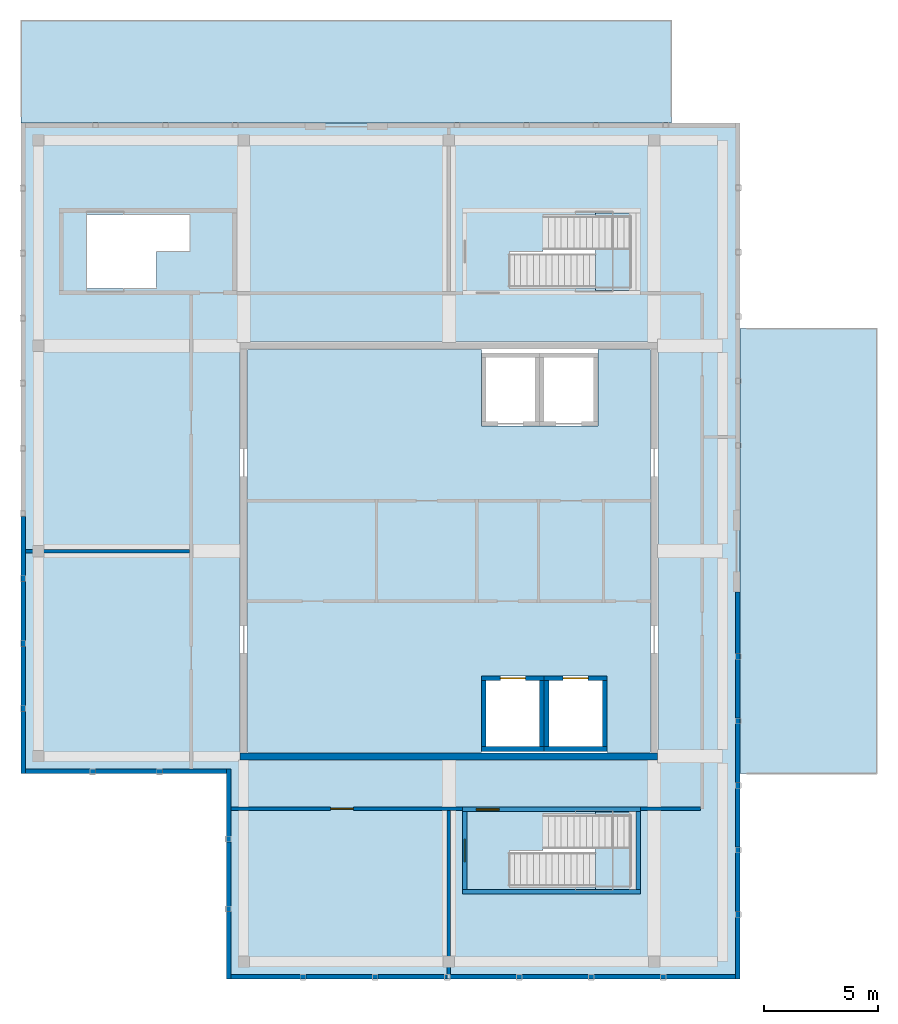
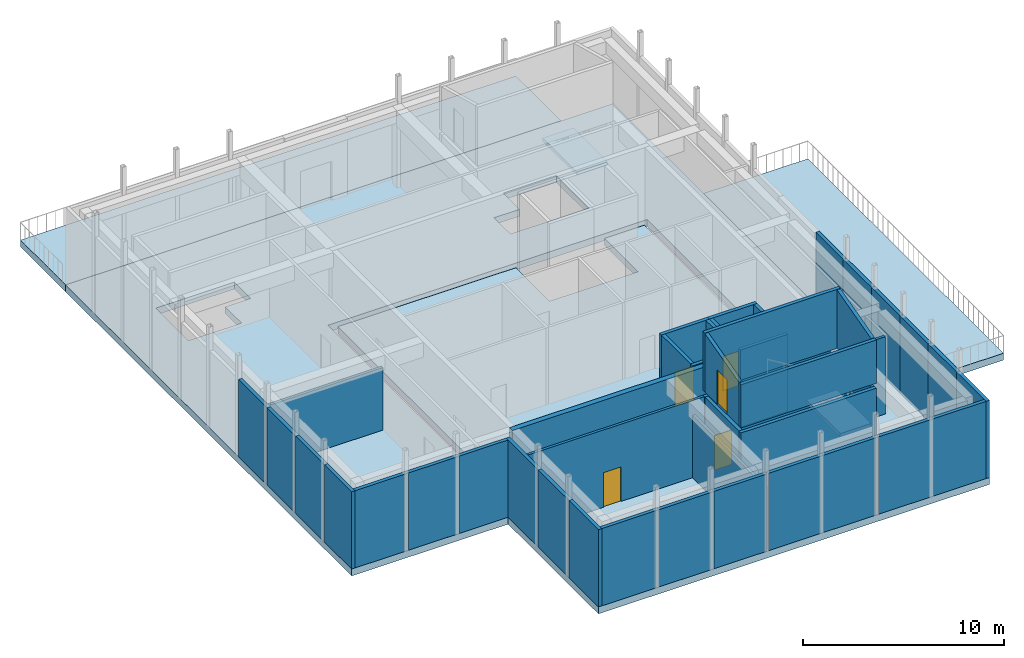
# One storey, part 7 of 11: 44 walls, 6 slabs, 5 doors, 5 openings, 2 elements without a shape of their own.
"""IFC4 building model written with IfcOpenShell, lengths in metres."""

from ifc_helpers import new_model, si_unit, direction, frame, frame_2d, origin, place, context, subcontext, project, spatial, polyline, rectangle, outline, extrude, material, layer, layer_set, type_object, element, fill, aggregate, save


model = new_model("IFC4")

# Units and contexts
model_context = context("Model", 3, precision=1e-05, world=origin(), true_north=direction((0.0, 1.0)))
body_context = subcontext(model_context, "Body", "Model", "MODEL_VIEW")
ifc_project = project(units=[si_unit("LENGTHUNIT", "METRE"), si_unit("AREAUNIT", "SQUARE_METRE"), si_unit("VOLUMEUNIT", "CUBIC_METRE"), si_unit("PLANEANGLEUNIT", "RADIAN"), si_unit("MASSUNIT", "GRAM", prefix="KILO")], contexts=[model_context])

# Site, building, storey
site_placement = place(None, origin())
site = spatial("IfcSite", under=ifc_project, at=site_placement, CompositionType="ELEMENT")
building_placement = place(site_placement, origin())
building = spatial("IfcBuilding", under=site, at=building_placement, Name="Tuart Plaza Theatre", CompositionType="ELEMENT")
storey_placement = place(building_placement, frame((0.0, 0.0, 65.5)))
storey = spatial("IfcBuildingStorey", under=building, at=storey_placement, Name="L16", CompositionType="ELEMENT", Elevation=65.5)

# Slabs
ifc_material_1 = material(Name="Concrete N40 (40 MPa)", Category="concrete")
ifc_layer_1 = layer(ifc_material_1, 0.419921875)
ifc_layer_set_1 = layer_set([ifc_layer_1], Name="SLAB Floor 420 Concrete N40 (40 MPa)")
slab_type_1 = type_object("IfcSlabType", Name="SLAB Floor 420 Concrete N40 (40 MPa)", PredefinedType="FLOOR", material=ifc_layer_set_1)
slab_1_placement = place(storey_placement, frame((0.0, 0.0, -0.419921875)))
element("IfcSlab", 1, at=slab_1_placement, inside=storey, type_object=slab_type_1, Name="S103", PredefinedType="FLOOR", context=body_context, shape_type="SweptSolid", body=[
    extrude(outline(polyline([(122.25, 55.25), (144.75, 55.25), (144.75, 92.75), (113.25, 92.75), (113.25, 64.25), (122.25, 64.25), (122.25, 55.25)]), holes=[polyline([(141.175048828125, 64.824951171875), (141.175048828125, 83.175048828125), (122.824951171875, 83.175048828125), (122.824951171875, 64.824951171875), (141.175048828125, 64.824951171875)]), polyline([(136.114990234375, 62.5), (136.114990234375, 60.875), (134.655029296875, 60.875), (134.655029296875, 59.25), (139.169921875, 59.25), (139.169921875, 62.5), (136.114990234375, 62.5)]), polyline([(139.169921875, 88.75), (136.114990234375, 88.75), (136.114990234375, 87.125), (134.655029296875, 87.125), (134.655029296875, 85.5), (139.169921875, 85.5), (139.169921875, 88.75)]), polyline([(116.1298828125, 88.75), (116.1298828125, 85.5), (119.18505859375, 85.5), (119.18505859375, 87.125), (120.64501953125, 87.125), (120.64501953125, 88.75), (116.1298828125, 88.75)])]), origin(), (0.0, 0.0, 1.0), 0.419921875),
])
slab_2_placement = place(storey_placement, frame((0.0, 0.0, -0.419921875)))
element("IfcSlab", 2, at=slab_2_placement, inside=storey, type_object=slab_type_1, Name="S104", PredefinedType="FLOOR", context=body_context, shape_type="SweptSolid", body=[
    extrude(outline(polyline([(133.425048828125, 68.52490234375), (138.925048828125, 68.52490234375), (138.925048828125, 65.175048828125), (140.824951171875, 65.175048828125), (140.824951171875, 82.824951171875), (138.52490234375, 82.824951171875), (138.52490234375, 79.47509765625), (133.425048828125, 79.47509765625), (133.425048828125, 82.824951171875), (123.175048828125, 82.824951171875), (123.175048828125, 65.175048828125), (133.425048828125, 65.175048828125), (133.425048828125, 68.52490234375)])), origin(), (0.0, 0.0, 1.0), 0.419921875),
])
slab_3_placement = place(storey_placement, frame((0.0, 0.0, -0.419921875)))
element("IfcSlab", 3, at=slab_3_placement, inside=storey, type_object=slab_type_1, Name="S105", PredefinedType="FLOOR", context=body_context, shape_type="SweptSolid", body=[
    extrude(outline(polyline([(113.25, 92.75), (141.75, 92.75), (141.75, 97.25), (113.25, 97.25), (113.25, 92.75)])), origin(), (0.0, 0.0, 1.0), 0.419921875),
])
slab_4_placement = place(storey_placement, frame((0.0, 0.0, -0.419921875)))
element("IfcSlab", 4, at=slab_4_placement, inside=storey, type_object=slab_type_1, Name="S106", PredefinedType="FLOOR", context=body_context, shape_type="SweptSolid", body=[
    extrude(outline(polyline([(144.75, 83.75), (144.75, 64.25), (150.75, 64.25), (150.75, 83.75), (144.75, 83.75)])), origin(), (0.0, 0.0, 1.0), 0.419921875),
])

# Stair, slab
ifc_material_2 = material(Name="Concrete N40 (40 MPa)", Category="concrete")
stair_type = type_object("IfcStairType", Name="STAIR half turn 1500", PredefinedType="HALF_TURN_STAIR", material=ifc_material_2)
stair_1_placement = place(storey_placement, origin())
stair_1 = element("IfcStair", 5, at=stair_1_placement, inside=storey, type_object=stair_type, Name="SC-23", PredefinedType="HALF_TURN_STAIR")
ifc_material_3 = material(Name="Concrete N40 (40 MPa)", Category="concrete")
ifc_layer_2 = layer(ifc_material_3, 0.199951171875)
ifc_layer_set_2 = layer_set([ifc_layer_2], Name="STAIR LANDING 200")
slab_type_2 = type_object("IfcSlabType", Name="STAIR LANDING 200", PredefinedType="LANDING", material=ifc_layer_set_2)
slab_5_placement = place(storey_placement, frame((0.0, 0.0, 2.300048828125)))
slab_5 = element("IfcSlab", 6, at=slab_5_placement, type_object=slab_type_2, Name="SC-23 landing 1", PredefinedType="LANDING", context=body_context, shape_type="SweptSolid", body=[
    extrude(outline(polyline([(138.425048828125, 59.177001953125), (140.197998046875, 59.177001953125), (140.197998046875, 62.572998046875), (138.425048828125, 62.572998046875), (138.425048828125, 59.177001953125)])), origin(), (0.0, 0.0, 1.0), 0.199951171875),
])
aggregate(stair_1, [slab_5])

stair_2_placement = place(storey_placement, origin())
stair_2 = element("IfcStair", 7, at=stair_2_placement, inside=storey, type_object=stair_type, Name="SC-24", PredefinedType="HALF_TURN_STAIR")
slab_6_placement = place(storey_placement, frame((0.0, 0.0, 2.300048828125)))
slab_6 = element("IfcSlab", 8, at=slab_6_placement, type_object=slab_type_2, Name="SC-24 landing 1", PredefinedType="LANDING", context=body_context, shape_type="SweptSolid", body=[
    extrude(outline(polyline([(138.425048828125, 85.427001953125), (140.197998046875, 85.427001953125), (140.197998046875, 88.822998046875), (138.425048828125, 88.822998046875), (138.425048828125, 85.427001953125)])), origin(), (0.0, 0.0, 1.0), 0.199951171875),
])
aggregate(stair_2, [slab_6])

# Wall, opening, door
ifc_material_4 = material(Name="Masonry block", Category="masonry")
ifc_layer_3 = layer(ifc_material_4, 0.14990234375)
ifc_layer_set_3 = layer_set([ifc_layer_3], Name="PARTITION BLK150 MASONRYB FRL 120/-/-")
wall_type_1 = type_object("IfcWallType", Name="PARTITION BLK150 MASONRYB FRL 120/-/-", PredefinedType="PARTITIONING", material=ifc_layer_set_3)
wall_1_placement = place(storey_placement, frame((132.60009765625, 62.699951171875, 0.0), z_axis=(0.0, 0.0, 1.0), x_axis=(-1.0, 0.0, 0.0)))
wall_1 = element("IfcWall", 9, at=wall_1_placement, inside=storey, type_object=wall_type_1, Name="P735", PredefinedType="PARTITIONING", context=body_context, shape_type="SweptSolid", body=[
    extrude(rectangle(XDim=10.150146484375, YDim=0.14990234375, at=frame_2d((5.0751953125, 0.0))), origin(), (0.0, 0.0, 1.0), 4.699951171875),
])
opening_1_placement = place(wall_1_placement, frame((4.78759765625, 0.0, 0.0)))
opening_1 = element("IfcOpeningElement", 10, at=opening_1_placement, cuts=wall_1, Name="Opening L16-021", PredefinedType="OPENING", context=body_context, shape_type="SweptSolid", body=[
    extrude(rectangle(XDim=1.0, YDim=2.10009765625, at=frame_2d((0.5, 1.050048828125))), frame((0.0, 0.0849609375, 0.0), z_axis=(0.0, -1.0, 0.0), x_axis=(1.0, 0.0, 0.0)), (0.0, 0.0, 1.0), 0.169921875),
])
ifc_material_5 = material(Name="Timber", Category="wood")
door_type_1 = type_object("IfcDoorType", Name="DOOR 1000x2100 timber single swing FRL -/60/30", OperationType="SINGLE_SWING_LEFT", PredefinedType="DOOR", material=ifc_material_5)
door_1_placement = place(opening_1_placement, origin())
door_1 = element("IfcDoor", 11, at=door_1_placement, inside=storey, type_object=door_type_1, Name="L16-021", OperationType="SINGLE_SWING_LEFT", OverallHeight=2.10009765625, OverallWidth=1.0, PredefinedType="DOOR", context=body_context, shape_type="SweptSolid", body=[
    extrude(rectangle(XDim=1.0, YDim=2.10009765625, at=frame_2d((0.5, 1.050048828125))), frame((0.0, 0.02490234375, 0.0), z_axis=(0.0, -1.0, 0.0), x_axis=(1.0, 0.0, 0.0)), (0.0, 0.0, 1.0), 0.050048828125),
])
fill(opening_1, door_1)

# Walls
wall_2_placement = place(storey_placement, frame((143.02490234375, 62.699951171875, 0.0), z_axis=(0.0, 0.0, 1.0), x_axis=(-1.0, 0.0, 0.0)))
element("IfcWall", 12, at=wall_2_placement, inside=storey, type_object=wall_type_1, Name="P736", PredefinedType="PARTITIONING", context=body_context, shape_type="SweptSolid", body=[
    extrude(rectangle(XDim=2.625, YDim=0.14990234375, at=frame_2d((1.3125, 0.0))), origin(), (0.0, 0.0, 1.0), 4.699951171875),
])
for number, where, z_axis, x_axis, name in (
    (13, (132.0, 55.448974609375, 0.0), (0.0, 0.0, 1.0), (0.0, 1.0, 0.0), "P741"),
    (14, (113.448974609375, 74.0, 0.0), (0.0, 0.0, 1.0), (1.0, 0.0, 0.0), "P743"),
):
    element("IfcWall", number, at=place(storey_placement, frame(where, z_axis=z_axis, x_axis=x_axis)), inside=storey, type_object=wall_type_1, Name=name, PredefinedType="PARTITIONING", context=body_context, shape_type="SweptSolid", body=[
        extrude(rectangle(XDim=7.177001953125, YDim=0.14990234375, at=frame_2d((3.58837890625, 0.0))), origin(), (0.0, 0.0, 1.0), 3.800048828125),
    ])
ifc_material_6 = material(Name="Concrete N40 (40 MPa)", Category="concrete")
ifc_layer_4 = layer(ifc_material_6, 0.199951171875)
ifc_layer_set_4 = layer_set([ifc_layer_4], Name="SHEAR WALL RC200 FRL 120/120/120")
wall_type_2 = type_object("IfcWallType", Name="SHEAR WALL RC200 FRL 120/120/120", PredefinedType="SHEAR", material=ifc_layer_set_4)
wall_3_placement = place(storey_placement, frame((133.425048828125, 65.324951171875, 0.0), z_axis=(0.0, 0.0, 1.0), x_axis=(1.0, 0.0, 0.0)))
element("IfcWall", 15, at=wall_3_placement, inside=storey, type_object=wall_type_2, Name="W1078", PredefinedType="SHEAR", context=body_context, shape_type="SweptSolid", body=[
    extrude(rectangle(XDim=2.75, YDim=0.199951171875, at=frame_2d((1.375, 0.0))), origin(), (0.0, 0.0, 1.0), 4.699951171875),
])
wall_4_placement = place(storey_placement, frame((136.074951171875, 65.425048828125, 0.0), z_axis=(0.0, 0.0, 1.0), x_axis=(0.0, 1.0, 0.0)))
element("IfcWall", 16, at=wall_4_placement, inside=storey, type_object=wall_type_2, Name="W1079", PredefinedType="SHEAR", context=body_context, shape_type="SweptSolid", body=[
    extrude(rectangle(XDim=2.89990234375, YDim=0.199951171875, at=frame_2d((1.449951171875, 0.0))), origin(), (0.0, 0.0, 1.0), 4.699951171875),
])

# Wall, opening, door
wall_5_placement = place(storey_placement, frame((136.175048828125, 68.425048828125, 0.0), z_axis=(0.0, 0.0, 1.0), x_axis=(-1.0, 0.0, 0.0)))
wall_5 = element("IfcWall", 17, at=wall_5_placement, inside=storey, type_object=wall_type_2, Name="W1080", PredefinedType="SHEAR", context=body_context, shape_type="SweptSolid", body=[
    extrude(rectangle(XDim=2.75, YDim=0.199951171875, at=frame_2d((1.375, 0.0))), origin(), (0.0, 0.0, 1.0), 4.699951171875),
])
opening_2_placement = place(wall_5_placement, frame((0.824951171875, 0.0, 0.0)))
opening_2 = element("IfcOpeningElement", 18, at=opening_2_placement, cuts=wall_5, Name="Opening L16-003", PredefinedType="OPENING", context=body_context, shape_type="SweptSolid", body=[
    extrude(rectangle(XDim=1.10009765625, YDim=2.10009765625, at=frame_2d((0.550048828125, 1.050048828125))), frame((0.0, 0.10986328125, 0.0), z_axis=(0.0, -1.0, 0.0), x_axis=(1.0, 0.0, 0.0)), (0.0, 0.0, 1.0), 0.219970703125),
])
ifc_material_7 = material(Name="Steel Grade 300", Category="steel")
door_type_2 = type_object("IfcDoorType", Name="LANDING DOOR 1100x2100 steel sliding FRL -/120/30", OperationType="SLIDING_TO_LEFT", PredefinedType="DOOR", material=ifc_material_7)
door_2_placement = place(opening_2_placement, origin())
door_2 = element("IfcDoor", 19, at=door_2_placement, inside=storey, type_object=door_type_2, Name="L16-003", OperationType="SLIDING_TO_LEFT", OverallHeight=2.10009765625, OverallWidth=1.10009765625, PredefinedType="DOOR", context=body_context, shape_type="SweptSolid", body=[
    extrude(rectangle(XDim=1.10009765625, YDim=2.10009765625, at=frame_2d((0.550048828125, 1.050048828125))), frame((0.0, 0.02490234375, 0.0), z_axis=(0.0, -1.0, 0.0), x_axis=(1.0, 0.0, 0.0)), (0.0, 0.0, 1.0), 0.050048828125),
])
fill(opening_2, door_2)

# Walls
wall_6_placement = place(storey_placement, frame((133.52490234375, 68.324951171875, 0.0), z_axis=(0.0, 0.0, 1.0), x_axis=(0.0, -1.0, 0.0)))
element("IfcWall", 20, at=wall_6_placement, inside=storey, type_object=wall_type_2, Name="W1081", PredefinedType="SHEAR", context=body_context, shape_type="SweptSolid", body=[
    extrude(rectangle(XDim=2.89990234375, YDim=0.199951171875, at=frame_2d((1.449951171875, 0.0))), origin(), (0.0, 0.0, 1.0), 4.699951171875),
])
wall_7_placement = place(storey_placement, frame((136.175048828125, 65.324951171875, 0.0), z_axis=(0.0, 0.0, 1.0), x_axis=(1.0, 0.0, 0.0)))
element("IfcWall", 21, at=wall_7_placement, inside=storey, type_object=wall_type_2, Name="W1154", PredefinedType="SHEAR", context=body_context, shape_type="SweptSolid", body=[
    extrude(rectangle(XDim=2.75, YDim=0.199951171875, at=frame_2d((1.375, 0.0))), origin(), (0.0, 0.0, 1.0), 4.699951171875),
])
wall_8_placement = place(storey_placement, frame((138.824951171875, 65.425048828125, 0.0), z_axis=(0.0, 0.0, 1.0), x_axis=(0.0, 1.0, 0.0)))
element("IfcWall", 22, at=wall_8_placement, inside=storey, type_object=wall_type_2, Name="W1155", PredefinedType="SHEAR", context=body_context, shape_type="SweptSolid", body=[
    extrude(rectangle(XDim=2.89990234375, YDim=0.199951171875, at=frame_2d((1.449951171875, 0.0))), origin(), (0.0, 0.0, 1.0), 4.699951171875),
])

# Wall, opening, door
wall_9_placement = place(storey_placement, frame((138.925048828125, 68.425048828125, 0.0), z_axis=(0.0, 0.0, 1.0), x_axis=(-1.0, 0.0, 0.0)))
wall_9 = element("IfcWall", 23, at=wall_9_placement, inside=storey, type_object=wall_type_2, Name="W1156", PredefinedType="SHEAR", context=body_context, shape_type="SweptSolid", body=[
    extrude(rectangle(XDim=2.75, YDim=0.199951171875, at=frame_2d((1.375, 0.0))), origin(), (0.0, 0.0, 1.0), 4.699951171875),
])
opening_3_placement = place(wall_9_placement, frame((0.824951171875, 0.0, 0.0)))
opening_3 = element("IfcOpeningElement", 24, at=opening_3_placement, cuts=wall_9, Name="Opening L16-004", PredefinedType="OPENING", context=body_context, shape_type="SweptSolid", body=[
    extrude(rectangle(XDim=1.10009765625, YDim=2.10009765625, at=frame_2d((0.550048828125, 1.050048828125))), frame((0.0, 0.10986328125, 0.0), z_axis=(0.0, -1.0, 0.0), x_axis=(1.0, 0.0, 0.0)), (0.0, 0.0, 1.0), 0.219970703125),
])
door_3_placement = place(opening_3_placement, origin())
door_3 = element("IfcDoor", 25, at=door_3_placement, inside=storey, type_object=door_type_2, Name="L16-004", OperationType="SLIDING_TO_LEFT", OverallHeight=2.10009765625, OverallWidth=1.10009765625, PredefinedType="DOOR", context=body_context, shape_type="SweptSolid", body=[
    extrude(rectangle(XDim=1.10009765625, YDim=2.10009765625, at=frame_2d((0.550048828125, 1.050048828125))), frame((0.0, 0.02490234375, 0.0), z_axis=(0.0, -1.0, 0.0), x_axis=(1.0, 0.0, 0.0)), (0.0, 0.0, 1.0), 0.050048828125),
])
fill(opening_3, door_3)

# Walls
wall_10_placement = place(storey_placement, frame((136.27490234375, 68.324951171875, 0.0), z_axis=(0.0, 0.0, 1.0), x_axis=(0.0, -1.0, 0.0)))
element("IfcWall", 26, at=wall_10_placement, inside=storey, type_object=wall_type_2, Name="W1157", PredefinedType="SHEAR", context=body_context, shape_type="SweptSolid", body=[
    extrude(rectangle(XDim=2.89990234375, YDim=0.199951171875, at=frame_2d((1.449951171875, 0.0))), origin(), (0.0, 0.0, 1.0), 4.699951171875),
])
wall_11_placement = place(storey_placement, frame((132.60009765625, 59.074951171875, 0.0), z_axis=(0.0, 0.0, 1.0), x_axis=(1.0, 0.0, 0.0)))
element("IfcWall", 27, at=wall_11_placement, inside=storey, type_object=wall_type_2, Name="P416", PredefinedType="SHEAR", context=body_context, shape_type="SweptSolid", body=[
    extrude(rectangle(XDim=7.7998046875, YDim=0.199951171875, at=frame_2d((3.89990234375, 0.0))), origin(), (0.0, 0.0, 1.0), 4.699951171875),
])
wall_12_placement = place(storey_placement, frame((140.300048828125, 59.175048828125, 0.0), z_axis=(0.0, 0.0, 1.0), x_axis=(0.0, 1.0, 0.0)))
element("IfcWall", 28, at=wall_12_placement, inside=storey, type_object=wall_type_2, Name="P417", PredefinedType="SHEAR", context=body_context, shape_type="SweptSolid", body=[
    extrude(rectangle(XDim=3.39990234375, YDim=0.199951171875, at=frame_2d((1.699951171875, 0.0))), origin(), (0.0, 0.0, 1.0), 4.699951171875),
])

# Wall, opening, door
wall_13_placement = place(storey_placement, frame((140.39990234375, 62.675048828125, 0.0), z_axis=(0.0, 0.0, 1.0), x_axis=(-1.0, 0.0, 0.0)))
wall_13 = element("IfcWall", 29, at=wall_13_placement, inside=storey, type_object=wall_type_2, Name="P418", PredefinedType="SHEAR", context=body_context, shape_type="SweptSolid", body=[
    extrude(rectangle(XDim=7.7998046875, YDim=0.199951171875, at=frame_2d((3.89990234375, 0.0))), origin(), (0.0, 0.0, 1.0), 4.699951171875),
])
opening_4_placement = place(wall_13_placement, frame((6.199951171875, 0.0, 0.0)))
opening_4 = element("IfcOpeningElement", 30, at=opening_4_placement, cuts=wall_13, Name="Opening L16-007", PredefinedType="OPENING", context=body_context, shape_type="SweptSolid", body=[
    extrude(rectangle(XDim=1.0, YDim=2.10009765625, at=frame_2d((0.5, 1.050048828125))), frame((0.0, 0.10986328125, 0.0), z_axis=(0.0, -1.0, 0.0), x_axis=(1.0, 0.0, 0.0)), (0.0, 0.0, 1.0), 0.219970703125),
])
ifc_material_8 = material(Name="Steel Grade 300", Category="steel")
door_type_3 = type_object("IfcDoorType", Name="DOOR 1000x2100 steel single swing FRL -/120/30", OperationType="SINGLE_SWING_LEFT", PredefinedType="DOOR", material=ifc_material_8)
door_4_placement = place(opening_4_placement, origin())
door_4 = element("IfcDoor", 31, at=door_4_placement, inside=storey, type_object=door_type_3, Name="L16-007", OperationType="SINGLE_SWING_LEFT", OverallHeight=2.10009765625, OverallWidth=1.0, PredefinedType="DOOR", context=body_context, shape_type="SweptSolid", body=[
    extrude(rectangle(XDim=1.0, YDim=2.10009765625, at=frame_2d((0.5, 1.050048828125))), frame((0.0, 0.02490234375, 0.0), z_axis=(0.0, -1.0, 0.0), x_axis=(1.0, 0.0, 0.0)), (0.0, 0.0, 1.0), 0.050048828125),
])
fill(opening_4, door_4)

# Walls
wall_14_placement = place(storey_placement, frame((132.699951171875, 62.574951171875, 0.0), z_axis=(0.0, 0.0, 1.0), x_axis=(0.0, -1.0, 0.0)))
element("IfcWall", 32, at=wall_14_placement, inside=storey, type_object=wall_type_2, Name="P419", PredefinedType="SHEAR", context=body_context, shape_type="SweptSolid", body=[
    extrude(rectangle(XDim=3.39990234375, YDim=0.199951171875, at=frame_2d((1.699951171875, 0.0))), origin(), (0.0, 0.0, 1.0), 4.699951171875),
])
wall_15_placement = place(storey_placement, frame((132.60009765625, 59.074951171875, 5.0), z_axis=(0.0, 0.0, 1.0), x_axis=(1.0, 0.0, 0.0)))
element("IfcWall", 33, at=wall_15_placement, inside=storey, type_object=wall_type_2, Name="P500", PredefinedType="SHEAR", context=body_context, shape_type="SweptSolid", body=[
    extrude(outline(polyline([(0.0, 0.0), (7.7998046875, 0.0), (7.800048828125, 2.626708984375), (0.0, 2.626708984375), (0.0, 0.0)])), frame((0.0, 0.10009765625, 0.0), z_axis=(0.0, -1.0, 0.0), x_axis=(1.0, 0.0, 0.0)), (0.0, 0.0, 1.0), 0.199951171875),
])
wall_16_placement = place(storey_placement, frame((140.300048828125, 59.175048828125, 5.0), z_axis=(0.0, 0.0, 1.0), x_axis=(0.0, 1.0, 0.0)))
element("IfcWall", 34, at=wall_16_placement, inside=storey, type_object=wall_type_2, Name="P501", PredefinedType="SHEAR", context=body_context, shape_type="SweptSolid", body=[
    extrude(outline(polyline([(0.0, 0.0), (3.39990234375, 0.0), (3.39990234375, 3.564697265625), (0.0, 2.653564453125), (0.0, 0.0)])), frame((0.0, 0.10009765625, 0.0), z_axis=(0.0, -1.0, 0.0), x_axis=(1.0, 0.0, 0.0)), (0.0, 0.0, 1.0), 0.199951171875),
])
wall_17_placement = place(storey_placement, frame((140.39990234375, 62.675048828125, 5.0), z_axis=(0.0, 0.0, 1.0), x_axis=(-1.0, 0.0, 0.0)))
element("IfcWall", 35, at=wall_17_placement, inside=storey, type_object=wall_type_2, Name="P502", PredefinedType="SHEAR", context=body_context, shape_type="SweptSolid", body=[
    extrude(outline(polyline([(0.0, 0.0), (7.7998046875, 0.0), (7.800048828125, 3.59130859375), (0.0, 3.59130859375), (0.0, 0.0)])), frame((0.0, 0.10009765625, 0.0), z_axis=(0.0, -1.0, 0.0), x_axis=(1.0, 0.0, 0.0)), (0.0, 0.0, 1.0), 0.199951171875),
])

# Wall, opening, door
wall_18_placement = place(storey_placement, frame((132.699951171875, 62.574951171875, 5.0), z_axis=(0.0, 0.0, 1.0), x_axis=(0.0, -1.0, 0.0)))
wall_18 = element("IfcWall", 36, at=wall_18_placement, inside=storey, type_object=wall_type_2, Name="P503", PredefinedType="SHEAR", context=body_context, shape_type="SweptSolid", body=[
    extrude(outline(polyline([(0.0, 0.0), (3.39990234375, 0.0), (3.39990234375, 2.653564453125), (0.0, 3.564697265625), (0.0, 0.0)])), frame((0.0, 0.10009765625, 0.0), z_axis=(0.0, -1.0, 0.0), x_axis=(1.0, 0.0, 0.0)), (0.0, 0.0, 1.0), 0.199951171875),
])
opening_5_placement = place(wall_18_placement, frame((1.199951171875, 0.0, 0.0)))
opening_5 = element("IfcOpeningElement", 37, at=opening_5_placement, cuts=wall_18, Name="Opening L16-010", PredefinedType="OPENING", context=body_context, shape_type="SweptSolid", body=[
    extrude(rectangle(XDim=1.0, YDim=2.10009765625, at=frame_2d((0.5, 1.050048828125))), frame((0.0, 0.10986328125, 0.0), z_axis=(0.0, -1.0, 0.0), x_axis=(1.0, 0.0, 0.0)), (0.0, 0.0, 1.0), 0.219970703125),
])
door_5_placement = place(opening_5_placement, frame((1.0, 0.0, 0.0), z_axis=(0.0, 0.0, 1.0), x_axis=(-1.0, 0.0, 0.0)))
door_5 = element("IfcDoor", 38, at=door_5_placement, inside=storey, type_object=door_type_3, Name="L16-010", OperationType="SINGLE_SWING_LEFT", OverallHeight=2.10009765625, OverallWidth=1.0, PredefinedType="DOOR", context=body_context, shape_type="SweptSolid", body=[
    extrude(rectangle(XDim=1.0, YDim=2.10009765625, at=frame_2d((0.5, 1.050048828125))), frame((0.0, 0.02490234375, 0.0), z_axis=(0.0, -1.0, 0.0), x_axis=(1.0, 0.0, 0.0)), (0.0, 0.0, 1.0), 0.050048828125),
])
fill(opening_5, door_5)

# Walls
ifc_material_9 = material(Name="Concrete N40 (40 MPa)", Category="concrete")
ifc_layer_5 = layer(ifc_material_9, 0.300048828125)
ifc_layer_set_5 = layer_set([ifc_layer_5], Name="SHEAR WALL RC300 FRL 120/120/120")
wall_type_3 = type_object("IfcWallType", Name="SHEAR WALL RC300 FRL 120/120/120", PredefinedType="SHEAR", material=ifc_layer_set_5)
wall_19_placement = place(storey_placement, frame((122.85009765625, 65.0, 0.0), z_axis=(0.0, 0.0, 1.0), x_axis=(1.0, 0.0, 0.0)))
element("IfcWall", 39, at=wall_19_placement, inside=storey, type_object=wall_type_3, Name="W443", PredefinedType="SHEAR", context=body_context, shape_type="SweptSolid", body=[
    extrude(rectangle(XDim=18.2998046875, YDim=0.300048828125, at=frame_2d((9.14990234375, 0.0))), origin(), (0.0, 0.0, 1.0), 4.699951171875),
])
ifc_material_10 = material(Name="Steel perforated panel", Category="steel")
ifc_layer_6 = layer(ifc_material_10, 0.199951171875)
ifc_layer_set_6 = layer_set([ifc_layer_6], Name="WALL CLD200 STEELPER EXT plant screen")
wall_type_4 = type_object("IfcWallType", Name="WALL CLD200 STEELPER EXT plant screen", PredefinedType="SOLIDWALL", material=ifc_layer_set_6)
wall_20_placement = place(storey_placement, frame((122.35009765625, 64.449951171875, 0.0), z_axis=(0.0, 0.0, 1.0), x_axis=(0.0, -1.0, 0.0)))
element("IfcWall", 40, at=wall_20_placement, inside=storey, type_object=wall_type_4, Name="P132", PredefinedType="SOLIDWALL", context=body_context, shape_type="SweptSolid", body=[
    extrude(rectangle(XDim=3.191650390625, YDim=0.199951171875, at=frame_2d((1.595703125, 0.0))), origin(), (0.0, 0.0, 1.0), 4.699951171875),
])
wall_21_placement = place(storey_placement, frame((122.35009765625, 61.25830078125, 0.0), z_axis=(0.0, 0.0, 1.0), x_axis=(0.0, -1.0, 0.0)))
element("IfcWall", 41, at=wall_21_placement, inside=storey, type_object=wall_type_4, Name="P133", PredefinedType="SOLIDWALL", context=body_context, shape_type="SweptSolid", body=[
    extrude(rectangle(XDim=3.066650390625, YDim=0.199951171875, at=frame_2d((1.533203125, 0.0))), origin(), (0.0, 0.0, 1.0), 4.699951171875),
])
wall_22_placement = place(storey_placement, frame((122.35009765625, 58.191650390625, 0.0), z_axis=(0.0, 0.0, 1.0), x_axis=(0.0, -1.0, 0.0)))
element("IfcWall", 42, at=wall_22_placement, inside=storey, type_object=wall_type_4, Name="P134", PredefinedType="SOLIDWALL", context=body_context, shape_type="SweptSolid", body=[
    extrude(rectangle(XDim=2.941650390625, YDim=0.199951171875, at=frame_2d((1.470703125, 0.0))), origin(), (0.0, 0.0, 1.0), 4.699951171875),
])
wall_23_placement = place(storey_placement, frame((122.449951171875, 55.35009765625, 0.0), z_axis=(0.0, 0.0, 1.0), x_axis=(1.0, 0.0, 0.0)))
element("IfcWall", 43, at=wall_23_placement, inside=storey, type_object=wall_type_4, Name="P135", PredefinedType="SOLIDWALL", context=body_context, shape_type="SweptSolid", body=[
    extrude(rectangle(XDim=3.2822265625, YDim=0.199951171875, at=frame_2d((1.64111328125, 0.0))), origin(), (0.0, 0.0, 1.0), 4.699951171875),
])
wall_24_placement = place(storey_placement, frame((125.732177734375, 55.35009765625, 0.0), z_axis=(0.0, 0.0, 1.0), x_axis=(1.0, 0.0, 0.0)))
element("IfcWall", 44, at=wall_24_placement, inside=storey, type_object=wall_type_4, Name="P136", PredefinedType="SOLIDWALL", context=body_context, shape_type="SweptSolid", body=[
    extrude(rectangle(XDim=3.1572265625, YDim=0.199951171875, at=frame_2d((1.57861328125, 0.0))), origin(), (0.0, 0.0, 1.0), 4.699951171875),
])
wall_25_placement = place(storey_placement, frame((128.889404296875, 55.35009765625, 0.0), z_axis=(0.0, 0.0, 1.0), x_axis=(1.0, 0.0, 0.0)))
element("IfcWall", 45, at=wall_25_placement, inside=storey, type_object=wall_type_4, Name="P137", PredefinedType="SOLIDWALL", context=body_context, shape_type="SweptSolid", body=[
    extrude(rectangle(XDim=3.03564453125, YDim=0.199951171875, at=frame_2d((1.517822265625, 0.0))), origin(), (0.0, 0.0, 1.0), 4.699951171875),
])
wall_26_placement = place(storey_placement, frame((132.04638671875, 55.35009765625, 0.0), z_axis=(0.0, 0.0, 1.0), x_axis=(1.0, 0.0, 0.0)))
element("IfcWall", 46, at=wall_26_placement, inside=storey, type_object=wall_type_4, Name="P138", PredefinedType="SOLIDWALL", context=body_context, shape_type="SweptSolid", body=[
    extrude(rectangle(XDim=3.1572265625, YDim=0.199951171875, at=frame_2d((1.57861328125, 0.0))), origin(), (0.0, 0.0, 1.0), 4.699951171875),
])
wall_27_placement = place(storey_placement, frame((135.20361328125, 55.35009765625, 0.0), z_axis=(0.0, 0.0, 1.0), x_axis=(1.0, 0.0, 0.0)))
element("IfcWall", 47, at=wall_27_placement, inside=storey, type_object=wall_type_4, Name="P139", PredefinedType="SOLIDWALL", context=body_context, shape_type="SweptSolid", body=[
    extrude(rectangle(XDim=3.156982421875, YDim=0.199951171875, at=frame_2d((1.57861328125, 0.0))), origin(), (0.0, 0.0, 1.0), 4.699951171875),
])
wall_28_placement = place(storey_placement, frame((138.360595703125, 55.35009765625, 0.0), z_axis=(0.0, 0.0, 1.0), x_axis=(1.0, 0.0, 0.0)))
element("IfcWall", 48, at=wall_28_placement, inside=storey, type_object=wall_type_4, Name="P140", PredefinedType="SOLIDWALL", context=body_context, shape_type="SweptSolid", body=[
    extrude(rectangle(XDim=3.1572265625, YDim=0.199951171875, at=frame_2d((1.57861328125, 0.0))), origin(), (0.0, 0.0, 1.0), 4.699951171875),
])
wall_29_placement = place(storey_placement, frame((141.517822265625, 55.35009765625, 0.0), z_axis=(0.0, 0.0, 1.0), x_axis=(1.0, 0.0, 0.0)))
element("IfcWall", 49, at=wall_29_placement, inside=storey, type_object=wall_type_4, Name="P141", PredefinedType="SOLIDWALL", context=body_context, shape_type="SweptSolid", body=[
    extrude(rectangle(XDim=3.0322265625, YDim=0.199951171875, at=frame_2d((1.51611328125, 0.0))), origin(), (0.0, 0.0, 1.0), 4.699951171875),
])
wall_30_placement = place(storey_placement, frame((144.64990234375, 55.25, 0.0), z_axis=(0.0, 0.0, 1.0), x_axis=(0.0, 1.0, 0.0)))
element("IfcWall", 50, at=wall_30_placement, inside=storey, type_object=wall_type_4, Name="P142", PredefinedType="SOLIDWALL", context=body_context, shape_type="SweptSolid", body=[
    extrude(rectangle(XDim=2.949951171875, YDim=0.199951171875, at=frame_2d((1.47509765625, 0.0))), origin(), (0.0, 0.0, 1.0), 4.699951171875),
])
wall_31_placement = place(storey_placement, frame((144.64990234375, 58.199951171875, 0.0), z_axis=(0.0, 0.0, 1.0), x_axis=(0.0, 1.0, 0.0)))
element("IfcWall", 51, at=wall_31_placement, inside=storey, type_object=wall_type_4, Name="P143", PredefinedType="SOLIDWALL", context=body_context, shape_type="SweptSolid", body=[
    extrude(rectangle(XDim=2.824951171875, YDim=0.199951171875, at=frame_2d((1.41259765625, 0.0))), origin(), (0.0, 0.0, 1.0), 4.699951171875),
])
wall_32_placement = place(storey_placement, frame((144.64990234375, 61.02490234375, 0.0), z_axis=(0.0, 0.0, 1.0), x_axis=(0.0, 1.0, 0.0)))
element("IfcWall", 52, at=wall_32_placement, inside=storey, type_object=wall_type_4, Name="P144", PredefinedType="SOLIDWALL", context=body_context, shape_type="SweptSolid", body=[
    extrude(rectangle(XDim=2.8251953125, YDim=0.199951171875, at=frame_2d((1.41259765625, 0.0))), origin(), (0.0, 0.0, 1.0), 4.699951171875),
])
for number, where, z_axis, x_axis, name in (
    (53, (144.64990234375, 63.85009765625, 0.0), (0.0, 0.0, 1.0), (0.0, 1.0, 0.0), "P145"),
    (54, (144.64990234375, 66.675048828125, 0.0), (0.0, 0.0, 1.0), (0.0, 1.0, 0.0), "P146"),
):
    element("IfcWall", number, at=place(storey_placement, frame(where, z_axis=z_axis, x_axis=x_axis)), inside=storey, type_object=wall_type_4, Name=name, PredefinedType="SOLIDWALL", context=body_context, shape_type="SweptSolid", body=[
        extrude(rectangle(XDim=2.824951171875, YDim=0.199951171875, at=frame_2d((1.41259765625, 0.0))), origin(), (0.0, 0.0, 1.0), 4.699951171875),
    ])
wall_33_placement = place(storey_placement, frame((144.64990234375, 69.5, 0.0), z_axis=(0.0, 0.0, 1.0), x_axis=(0.0, 1.0, 0.0)))
element("IfcWall", 55, at=wall_33_placement, inside=storey, type_object=wall_type_4, Name="P147", PredefinedType="SOLIDWALL", context=body_context, shape_type="SweptSolid", body=[
    extrude(rectangle(XDim=2.699951171875, YDim=0.199951171875, at=frame_2d((1.35009765625, 0.0))), origin(), (0.0, 0.0, 1.0), 4.699951171875),
])
wall_34_placement = place(storey_placement, frame((113.35009765625, 75.52490234375, 0.0), z_axis=(0.0, 0.0, 1.0), x_axis=(0.0, -1.0, 0.0)))
element("IfcWall", 56, at=wall_34_placement, inside=storey, type_object=wall_type_4, Name="P171", PredefinedType="SOLIDWALL", context=body_context, shape_type="SweptSolid", body=[
    extrude(rectangle(XDim=2.849853515625, YDim=0.199951171875, at=frame_2d((1.4248046875, 0.0))), origin(), (0.0, 0.0, 1.0), 4.699951171875),
])
wall_35_placement = place(storey_placement, frame((113.35009765625, 72.675048828125, 0.0), z_axis=(0.0, 0.0, 1.0), x_axis=(0.0, -1.0, 0.0)))
element("IfcWall", 57, at=wall_35_placement, inside=storey, type_object=wall_type_4, Name="P172", PredefinedType="SOLIDWALL", context=body_context, shape_type="SweptSolid", body=[
    extrude(rectangle(XDim=2.85009765625, YDim=0.199951171875, at=frame_2d((1.425048828125, 0.0))), origin(), (0.0, 0.0, 1.0), 4.699951171875),
])
wall_36_placement = place(storey_placement, frame((113.35009765625, 69.824951171875, 0.0), z_axis=(0.0, 0.0, 1.0), x_axis=(0.0, -1.0, 0.0)))
element("IfcWall", 58, at=wall_36_placement, inside=storey, type_object=wall_type_4, Name="P173", PredefinedType="SOLIDWALL", context=body_context, shape_type="SweptSolid", body=[
    extrude(rectangle(XDim=2.849853515625, YDim=0.199951171875, at=frame_2d((1.4248046875, 0.0))), origin(), (0.0, 0.0, 1.0), 4.699951171875),
])
wall_37_placement = place(storey_placement, frame((113.35009765625, 66.97509765625, 0.0), z_axis=(0.0, 0.0, 1.0), x_axis=(0.0, -1.0, 0.0)))
element("IfcWall", 59, at=wall_37_placement, inside=storey, type_object=wall_type_4, Name="P174", PredefinedType="SOLIDWALL", context=body_context, shape_type="SweptSolid", body=[
    extrude(rectangle(XDim=2.72509765625, YDim=0.199951171875, at=frame_2d((1.362548828125, 0.0))), origin(), (0.0, 0.0, 1.0), 4.699951171875),
])
wall_38_placement = place(storey_placement, frame((113.449951171875, 64.35009765625, 0.0), z_axis=(0.0, 0.0, 1.0), x_axis=(1.0, 0.0, 0.0)))
element("IfcWall", 60, at=wall_38_placement, inside=storey, type_object=wall_type_4, Name="P175", PredefinedType="SOLIDWALL", context=body_context, shape_type="SweptSolid", body=[
    extrude(rectangle(XDim=3.058349609375, YDim=0.199951171875, at=frame_2d((1.529296875, 0.0))), origin(), (0.0, 0.0, 1.0), 4.699951171875),
])
wall_39_placement = place(storey_placement, frame((116.50830078125, 64.35009765625, 0.0), z_axis=(0.0, 0.0, 1.0), x_axis=(1.0, 0.0, 0.0)))
element("IfcWall", 61, at=wall_39_placement, inside=storey, type_object=wall_type_4, Name="P176", PredefinedType="SOLIDWALL", context=body_context, shape_type="SweptSolid", body=[
    extrude(rectangle(XDim=2.933349609375, YDim=0.199951171875, at=frame_2d((1.466796875, 0.0))), origin(), (0.0, 0.0, 1.0), 4.699951171875),
])
wall_40_placement = place(storey_placement, frame((119.441650390625, 64.35009765625, 0.0), z_axis=(0.0, 0.0, 1.0), x_axis=(1.0, 0.0, 0.0)))
element("IfcWall", 62, at=wall_40_placement, inside=storey, type_object=wall_type_4, Name="P177", PredefinedType="SOLIDWALL", context=body_context, shape_type="SweptSolid", body=[
    extrude(rectangle(XDim=2.808349609375, YDim=0.199951171875, at=frame_2d((1.404296875, 0.0))), origin(), (0.0, 0.0, 1.0), 4.699951171875),
])

save(model, "model.ifc")
